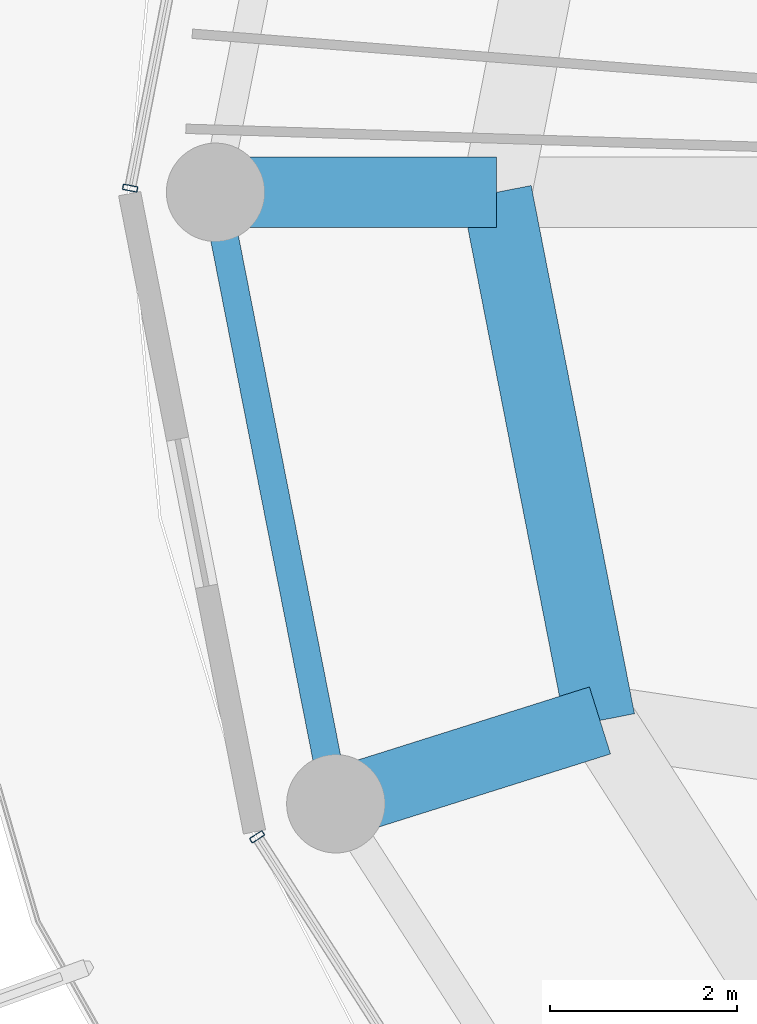
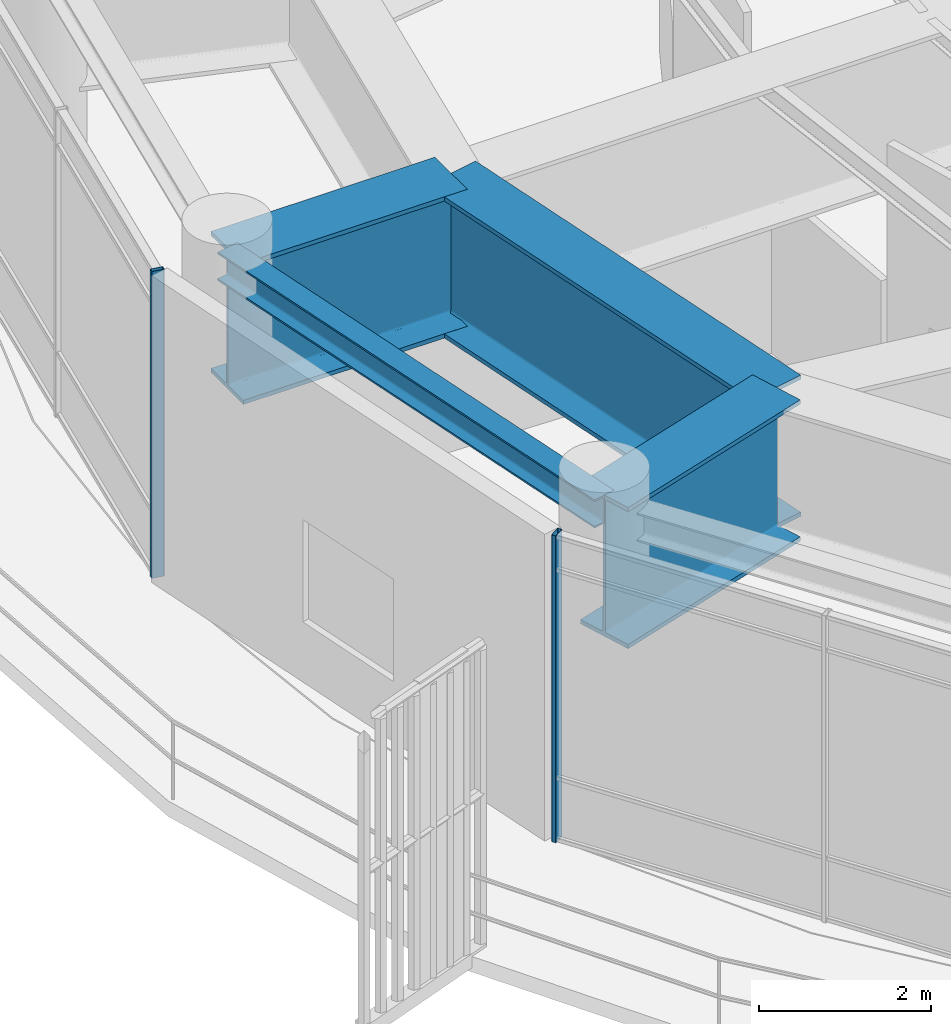
# One storey, part 6 of 29: 4 beams, 2 members, 2 elements without a shape of their own.
"""IFC4 building model written with IfcOpenShell, lengths in metres."""

from ifc_helpers import new_model, si_unit, direction, frame, origin, origin_2d, place, context, subcontext, project, spatial, hollow_rectangle, i_section, extrude, material, layer, layer_set, material_profile, profile_set, type_object, element, aggregate, save


model = new_model("IFC4")

# Units and contexts
model_context = context("Model", 3, precision=1e-05, world=origin(), true_north=direction((0.0, 1.0)))
body_context = subcontext(model_context, "Body", "Model", "MODEL_VIEW")
ifc_project = project(units=[si_unit("LENGTHUNIT", "METRE"), si_unit("AREAUNIT", "SQUARE_METRE"), si_unit("VOLUMEUNIT", "CUBIC_METRE"), si_unit("PLANEANGLEUNIT", "RADIAN"), si_unit("MASSUNIT", "GRAM", prefix="KILO")], contexts=[model_context])

# Site, building, storey
site_placement = place(None, origin())
site = spatial("IfcSite", under=ifc_project, at=site_placement, CompositionType="ELEMENT")
building_placement = place(site_placement, origin())
building = spatial("IfcBuilding", under=site, at=building_placement, Name="Kelanora Arch Commons", CompositionType="ELEMENT")
storey_placement = place(building_placement, frame((0.0, 0.0, 238.199951171875)))
storey = spatial("IfcBuildingStorey", under=building, at=storey_placement, Name="L61", CompositionType="ELEMENT", Elevation=238.199951171875)

# Beams
ifc_material_1 = material(Name="Steel S355", Category="steel")
ifc_material_profile_1 = material_profile(ifc_material_1, i_section(OverallWidth=0.300048828125, OverallDepth=0.39990234375, WebThickness=0.013427734375, FlangeThickness=0.02392578125, FilletRadius=0.027099609375, at=origin_2d()), Name="HEB400")
ifc_profile_set_1 = profile_set([ifc_material_profile_1], Name="Steel S355")
beam_type_1 = type_object("IfcBeamType", Name="BM-SPN-Z4", PredefinedType="SPANDREL", material=ifc_profile_set_1)
beam_1_placement = place(storey_placement, frame((52.719970703125, 58.0, 4.16015625), z_axis=(0.192980724826, -0.981202547819, 0.0), x_axis=(0.981202547819, 0.192980724826, 0.0)))
element("IfcBeam", 1, at=beam_1_placement, inside=storey, type_object=beam_type_1, Name="Perimeter Spandrel Beam BS-18 L61", PredefinedType="SPANDREL", context=body_context, shape_type="SweptSolid", body=[
    extrude(i_section(OverallWidth=0.300048828125, OverallDepth=0.39990234375, WebThickness=0.013427734375, FlangeThickness=0.02392578125, FilletRadius=0.027099609375, at=origin_2d()), origin(), (0.0, 0.0, 1.0), 6.650634765625),
])
ifc_material_profile_2 = material_profile(ifc_material_1, i_section(OverallWidth=0.75, OverallDepth=2.0, WebThickness=0.034912109375, FlangeThickness=0.06005859375, FilletRadius=0.028076171875, at=origin_2d()), Name="PG2000x750")
ifc_profile_set_2 = profile_set([ifc_material_profile_2], Name="Steel S355")
beam_type_2 = type_object("IfcBeamType", Name="BM-XFER-SET", PredefinedType="USERDEFINED", material=ifc_profile_set_2)
beam_2_placement = place(storey_placement, frame((55.719970703125, 58.0, 3.360107421875), z_axis=(-1.0, 0.0, 0.0), x_axis=(0.0, -1.0, 0.0)))
element("IfcBeam", 2, at=beam_2_placement, inside=storey, type_object=beam_type_2, Name="Radial Floor Girder BR-18 L61", ObjectType="TRANSFER_GIRDER", PredefinedType="USERDEFINED", context=body_context, shape_type="SweptSolid", body=[
    extrude(i_section(OverallWidth=0.75, OverallDepth=2.0, WebThickness=0.034912109375, FlangeThickness=0.06005859375, FilletRadius=0.028076171875, at=origin_2d()), origin(), (0.0, 0.0, 1.0), 3.0),
])
beam_3_placement = place(storey_placement, frame((56.822509765625, 52.363525390625, 3.360107421875), z_axis=(-0.953687459381, -0.300799318184, 0.0), x_axis=(0.300799318184, -0.953687459381, 0.0)))
element("IfcBeam", 3, at=beam_3_placement, inside=storey, type_object=beam_type_2, Name="Radial Floor Girder BR-20 L61", ObjectType="TRANSFER_GIRDER", PredefinedType="USERDEFINED", context=body_context, shape_type="SweptSolid", body=[
    extrude(i_section(OverallWidth=0.75, OverallDepth=2.0, WebThickness=0.034912109375, FlangeThickness=0.06005859375, FilletRadius=0.028076171875, at=origin_2d()), origin(), (0.0, 0.0, 1.0), 2.9560546875),
])
beam_4_placement = place(storey_placement, frame((55.719970703125, 58.0, 3.360107421875), z_axis=(0.191969774604, -0.981400838413, 0.0), x_axis=(0.981400838413, 0.191969774604, 0.0)))
element("IfcBeam", 4, at=beam_4_placement, inside=storey, type_object=beam_type_2, Name="Setback Inner Transfer Ring BSI-18 L61", ObjectType="TRANSFER_GIRDER", PredefinedType="USERDEFINED", context=body_context, shape_type="SweptSolid", body=[
    extrude(i_section(OverallWidth=0.75, OverallDepth=2.0, WebThickness=0.034912109375, FlangeThickness=0.06005859375, FilletRadius=0.028076171875, at=origin_2d()), origin(), (0.0, 0.0, 1.0), 5.743408203125),
])

# Curtain wall, member
ifc_material_2 = material(Name="Terracotta ceramic-fritted low-E glass and aluminium", Category="masonry")
ifc_layer = layer(ifc_material_2, 0.175048828125)
ifc_layer_set = layer_set([ifc_layer], Name="Terracotta ceramic-fritted low-E glass and aluminium")
curtain_wall_type = type_object("IfcCurtainWallType", Name="CW-SYS-02", PredefinedType="NOTDEFINED", material=ifc_layer_set)
curtain_wall_1_placement = place(storey_placement, origin())
curtain_wall_1 = element("IfcCurtainWall", 5, at=curtain_wall_1_placement, inside=storey, type_object=curtain_wall_type, Name="Unitised Curtain Wall L61-B08", PredefinedType="NOTDEFINED")
ifc_material_3 = material(Name="Powder-coated aluminium terracotta", Category="masonry")
ifc_material_profile_3 = material_profile(ifc_material_3, hollow_rectangle(XDim=0.159912109375, YDim=0.06005859375, WallThickness=0.0048828125, InnerFilletRadius=0.0048828125, OuterFilletRadius=0.010009765625, at=origin_2d()), Name="CWM160x60")
ifc_profile_set_3 = profile_set([ifc_material_profile_3], Name="Powder-coated aluminium terracotta")
member_type = type_object("IfcMemberType", Name="CWM-STD", PredefinedType="MULLION", material=ifc_profile_set_3)
member_1_placement = place(storey_placement, frame((51.80859375, 58.044189453125, 0.0), z_axis=(0.0, 0.0, 1.0), x_axis=(0.981381438349, -0.192068926335, 0.0)))
member_1 = element("IfcMember", 6, at=member_1_placement, type_object=member_type, Name="CW-02 mullion 3", PredefinedType="MULLION", context=body_context, shape_type="SweptSolid", body=[
    extrude(hollow_rectangle(XDim=0.159912109375, YDim=0.06005859375, WallThickness=0.0048828125, InnerFilletRadius=0.0048828125, OuterFilletRadius=0.010009765625, at=origin_2d()), origin(), (0.0, 0.0, 1.0), 4.344970703125),
])
aggregate(curtain_wall_1, [member_1])

curtain_wall_2_placement = place(storey_placement, origin())
curtain_wall_2 = element("IfcCurtainWall", 7, at=curtain_wall_2_placement, inside=storey, type_object=curtain_wall_type, Name="Unitised Curtain Wall L61-B10", PredefinedType="NOTDEFINED")
member_2_placement = place(storey_placement, frame((53.1630859375, 51.121826171875, 0.0), z_axis=(0.0, 0.0, 1.0), x_axis=(0.84194757539, 0.539559338994, 0.0)))
member_2 = element("IfcMember", 8, at=member_2_placement, type_object=member_type, Name="CW-02 mullion 1", PredefinedType="MULLION", context=body_context, shape_type="SweptSolid", body=[
    extrude(hollow_rectangle(XDim=0.159912109375, YDim=0.06005859375, WallThickness=0.0048828125, InnerFilletRadius=0.0048828125, OuterFilletRadius=0.010009765625, at=origin_2d()), origin(), (0.0, 0.0, 1.0), 4.344970703125),
])
aggregate(curtain_wall_2, [member_2])

save(model, "model.ifc")
